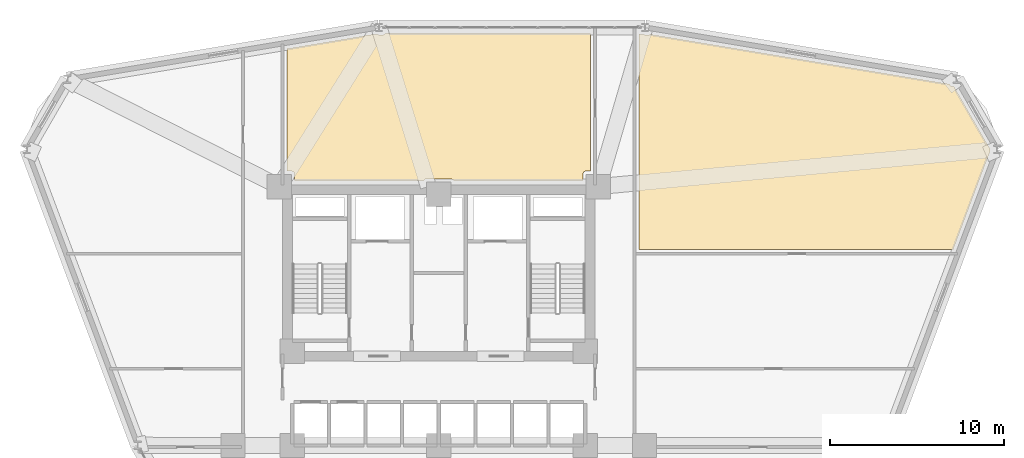
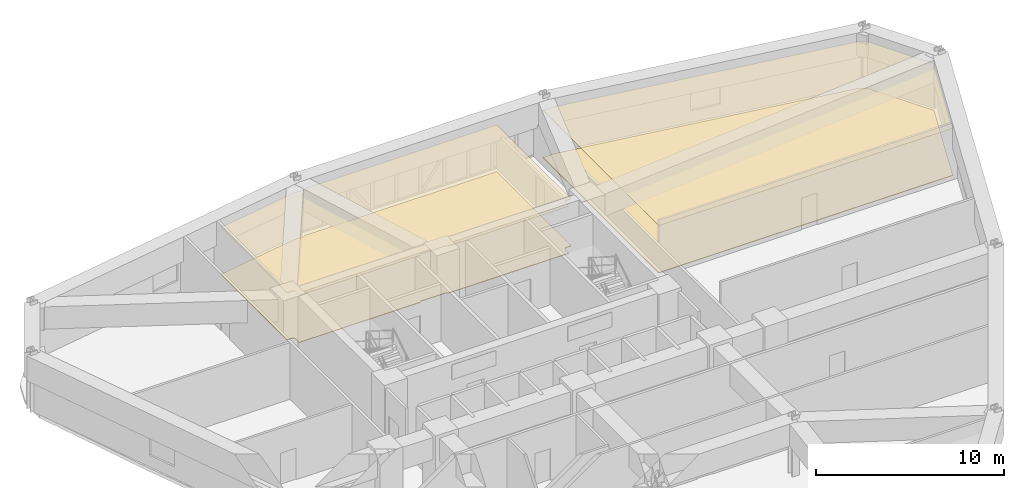
# One storey, part 18 of 18: 4 coverings.
"""IFC4 building model written with IfcOpenShell, lengths in metres."""

import ifcopenshell
import ifcopenshell.guid

model = None  # the IFC model being written
_history = None  # IfcOwnerHistory: only IFC2X3 demands one
_inside = {}  # id of a spatial element -> (the spatial element, [elements in it])
_under = {}  # id of a project, library or spatial element -> (it, [spatial elements below it])
_declared = {}  # id of a project -> (the project, [libraries it declares])
_typed = {}  # id of a type object -> (the type object, [elements of that type])
_made_of = {}  # id of a material, layer set ... -> (it, [elements and type objects made of it])


def new_model(schema):
    """Start an empty IFC model of exactly this schema.

    Asked for "IFC4X3", IfcOpenShell would pick the latest addendum, in which some entities
    have other attributes; the version numbers below select the first issue.
    IFC2X3 requires an IfcOwnerHistory on every rooted entity: one is made here for all.
    """
    global model, _history
    if schema == "IFC4X3":
        model = ifcopenshell.file(schema_version=(4, 3, 0, 0))
    else:
        model = ifcopenshell.file(schema=schema)
    _inside.clear()
    _under.clear()
    _declared.clear()
    _typed.clear()
    _made_of.clear()
    _history = None
    if model.schema == "IFC2X3":
        org = make("IfcOrganization", Name="unknown")
        user = make(
            "IfcPersonAndOrganization",
            ThePerson=make("IfcPerson", FamilyName="unknown"),
            TheOrganization=org,
        )
        app = make(
            "IfcApplication",
            ApplicationDeveloper=org,
            Version="unknown",
            ApplicationFullName="unknown",
            ApplicationIdentifier="unknown",
        )
        _history = make(
            "IfcOwnerHistory",
            OwningUser=user,
            OwningApplication=app,
            ChangeAction="ADDED",
            CreationDate=0,
        )
    return model


def make(cls, **values):
    """One entity of the class cls with the attributes given. An attribute that is None is left unset."""
    return model.create_entity(
        cls, **{name: value for name, value in values.items() if value is not None}
    )


def rooted(cls, **values):
    """An entity with a GlobalId (a new one), such as an element, a storey or a relation."""
    return make(cls, GlobalId=ifcopenshell.guid.new(), OwnerHistory=_history, **values)


def si_unit(unit_type, name, prefix=None):
    """IfcSIUnit, for example si_unit("LENGTHUNIT", "METRE", prefix="MILLI")."""
    return make("IfcSIUnit", UnitType=unit_type, Prefix=prefix, Name=name)


def derived_unit(unit_type, elements):
    """IfcDerivedUnit: a product of units, each with its exponent."""
    return make(
        "IfcDerivedUnit",
        Elements=[
            make("IfcDerivedUnitElement", Unit=unit, Exponent=power)
            for unit, power in elements
        ],
        UnitType=unit_type,
    )


def assignment(units):
    """IfcUnitAssignment: the units of a project."""
    return None if units is None else make("IfcUnitAssignment", Units=units)


def point(xyz):
    """IfcCartesianPoint."""
    return None if xyz is None else make("IfcCartesianPoint", Coordinates=xyz)


def direction(xyz):
    """IfcDirection."""
    return None if xyz is None else make("IfcDirection", DirectionRatios=xyz)


def frame(location, z_axis=None, x_axis=None):
    """IfcAxis2Placement3D, a coordinate frame: its origin and axes. An axis left out is left unset."""
    return make(
        "IfcAxis2Placement3D",
        Location=point(location),
        Axis=direction(z_axis),
        RefDirection=direction(x_axis),
    )


def origin():
    """The frame at (0, 0, 0) with its axes left unset."""
    return frame((0.0, 0.0, 0.0))


def place(relative_to, where):
    """IfcLocalPlacement: puts the frame where relative to a parent placement (None: the world)."""
    return make(
        "IfcLocalPlacement", PlacementRelTo=relative_to, RelativePlacement=where
    )


def context(
    kind, dimensions, precision=None, world=None, true_north=None, identifier=None
):
    """IfcGeometricRepresentationContext, for example the 3D "Model" context."""
    return make(
        "IfcGeometricRepresentationContext",
        ContextIdentifier=identifier,
        ContextType=kind,
        CoordinateSpaceDimension=dimensions,
        Precision=precision,
        WorldCoordinateSystem=world,
        TrueNorth=true_north,
    )


def subcontext(parent, identifier, kind, view, scale=None):
    """IfcGeometricRepresentationSubContext, for example "Body" below "Model"."""
    return make(
        "IfcGeometricRepresentationSubContext",
        ContextIdentifier=identifier,
        ContextType=kind,
        ParentContext=parent,
        TargetScale=scale,
        TargetView=view,
    )


def project(units=None, contexts=None):
    """IfcProject with its units and contexts."""
    return rooted(
        "IfcProject",
        Name="project",
        RepresentationContexts=contexts,
        UnitsInContext=assignment(units),
    )


def spatial(cls, under=None, at=None, **own):
    """A site, building, storey or space (cls), placed at a placement, below another one or the project."""
    s = rooted(cls, ObjectPlacement=at, **own)
    if under is not None:
        _under.setdefault(under.id(), (under, []))[1].append(s)
    return s


def polyline(points):
    """IfcPolyline through the points."""
    return make("IfcPolyline", Points=[point(p) for p in points])


def outline(outer, holes=None, kind="AREA"):
    """IfcArbitraryClosedProfileDef: a profile drawn as a closed curve; with holes, ...WithVoids."""
    if holes is None:
        return make("IfcArbitraryClosedProfileDef", ProfileType=kind, OuterCurve=outer)
    return make(
        "IfcArbitraryProfileDefWithVoids",
        ProfileType=kind,
        OuterCurve=outer,
        InnerCurves=holes,
    )


def extrude(swept, where, along, depth):
    """IfcExtrudedAreaSolid: the profile swept, set in the frame where, extruded along a direction by depth."""
    return make(
        "IfcExtrudedAreaSolid",
        SweptArea=swept,
        Position=where,
        ExtrudedDirection=direction(along),
        Depth=depth,
    )


def shape(context_of_items, identifier, shape_type, items):
    """IfcShapeRepresentation: the items that make up one representation, for example the "Body"."""
    return make(
        "IfcShapeRepresentation",
        ContextOfItems=context_of_items,
        RepresentationIdentifier=identifier,
        RepresentationType=shape_type,
        Items=items,
    )


def material(Name=None, Category=None):
    """IfcMaterial."""
    return make("IfcMaterial", Name=Name, Category=Category)


def layer(
    of_material, thickness, ventilated=None, Name=None, Category=None, Priority=None
):
    """IfcMaterialLayer: one layer of a wall or slab, of a material (None: an air gap)."""
    return make(
        "IfcMaterialLayer",
        Material=of_material,
        LayerThickness=thickness,
        IsVentilated=ventilated,
        Name=Name,
        Category=Category,
        Priority=Priority,
    )


def layer_set(layers, Name=None):
    """IfcMaterialLayerSet."""
    return make("IfcMaterialLayerSet", MaterialLayers=layers, LayerSetName=Name)


def made_of(thing, what):
    """Note that an element or type object is made of a material, layer set ...; save() writes the relation."""
    if what is not None:
        _made_of.setdefault(what.id(), (what, []))[1].append(thing)
    return thing


def type_object(cls, material=None, **own):
    """A type object (cls), such as IfcWallType, which elements share."""
    return made_of(rooted(cls, **own), material)


def element(
    cls,
    number,
    at=None,
    inside=None,
    cuts=None,
    type_object=None,
    material=None,
    context=None,
    identifier="Body",
    shape_type=None,
    held_by="IfcProductDefinitionShape",
    body=None,
    shapes=None,
    **own,
):
    """One element of the class cls, such as IfcWall. Its Tag is "e" and its number.

    at: its placement. inside: the storey or other place that contains it. cuts: it is an
    opening in that element (IfcRelVoidsElement). A single representation is given by context,
    identifier, shape_type and body (its items); several are given by shapes. held_by: the class
    of the entity that holds the representations. save() writes the other relations.
    """
    e = rooted(cls, Tag="e%d" % number, ObjectPlacement=at, **own)
    if body is not None:
        shapes = [shape(context, identifier, shape_type, body)]
    if shapes is not None:
        e.Representation = make(held_by, Representations=shapes)
    if inside is not None:
        _inside.setdefault(inside.id(), (inside, []))[1].append(e)
    if cuts is not None:
        rooted(
            "IfcRelVoidsElement", RelatingBuildingElement=cuts, RelatedOpeningElement=e
        )
    if type_object is not None:
        _typed.setdefault(type_object.id(), (type_object, []))[1].append(e)
    return made_of(e, material)


def aggregate(whole, parts):
    """IfcRelAggregates: a whole, such as a stair, and the parts it consists of."""
    return rooted("IfcRelAggregates", RelatingObject=whole, RelatedObjects=parts)


def save(model, path):
    """Write the relations noted so far, then the file.

    IfcRelAggregates (storeys below a building ...), IfcRelContainedInSpatialStructure (elements
    in a storey), IfcRelDefinesByType, IfcRelAssociatesMaterial and IfcRelDeclares: one each for
    every whole, place, type object, material and project.
    """
    for whole, parts in _under.values():
        aggregate(whole, parts)
    for where, things in _inside.values():
        rooted(
            "IfcRelContainedInSpatialStructure",
            RelatedElements=things,
            RelatingStructure=where,
        )
    for kind, things in _typed.values():
        rooted("IfcRelDefinesByType", RelatedObjects=things, RelatingType=kind)
    for what, things in _made_of.values():
        rooted("IfcRelAssociatesMaterial", RelatedObjects=things, RelatingMaterial=what)
    for by, libraries in _declared.values():
        rooted("IfcRelDeclares", RelatingContext=by, RelatedDefinitions=libraries)
    model.write(path)


model = new_model("IFC4")

# Units and contexts
model_context = context("Model", 3, precision=1e-05, world=origin(), true_north=direction((0.0, 1.0)))
body_context = subcontext(model_context, "Body", "Model", "MODEL_VIEW")
ifc_project = project(units=[si_unit("LENGTHUNIT", "METRE"), si_unit("AREAUNIT", "SQUARE_METRE"), si_unit("VOLUMEUNIT", "CUBIC_METRE"), si_unit("PLANEANGLEUNIT", "RADIAN"), si_unit("MASSUNIT", "GRAM", prefix="KILO"), derived_unit("THERMALTRANSMITTANCEUNIT", [(si_unit("POWERUNIT", "WATT"), 1), (si_unit("LENGTHUNIT", "METRE"), -2), (si_unit("THERMODYNAMICTEMPERATUREUNIT", "KELVIN"), -1)])], contexts=[model_context])

# Site, building, storey
site_placement = place(None, origin())
site = spatial("IfcSite", under=ifc_project, at=site_placement, CompositionType="ELEMENT")
building_placement = place(site_placement, origin())
building = spatial("IfcBuilding", under=site, at=building_placement, Name="Korsvarv Bourse and Concert Hall", CompositionType="ELEMENT")
storey_placement = place(building_placement, frame((0.0, 0.0, 71.699951171875)))
storey = spatial("IfcBuildingStorey", under=building, at=storey_placement, Name="L17", CompositionType="ELEMENT", Elevation=71.699951171875)

# Coverings
ifc_material_1 = material(Name="Perforated mineral-wool and birch acoustic baffle ceiling", Category="wood")
ifc_layer_1 = layer(ifc_material_1, 0.02490234375)
ifc_layer_set_1 = layer_set([ifc_layer_1], Name="Perforated mineral-wool and birch acoustic baffle ceiling")
covering_type_1 = type_object("IfcCoveringType", Name="COV-CEIL-1", PredefinedType="CEILING", material=ifc_layer_set_1)
covering_1_placement = place(storey_placement, frame((0.0, 0.0, 3.06005859375)))
element("IfcCovering", 1, at=covering_1_placement, inside=storey, type_object=covering_type_1, Name="L17 acoustic baffle ceiling 1", PredefinedType="CEILING", context=body_context, shape_type="SweptSolid", body=[
    extrude(outline(polyline([(47.48876953125, 56.002197265625), (47.517333984375, 55.982421875), (47.54931640625, 55.968505859375), (47.583251953125, 55.961181640625), (48.03466796875, 55.94970703125), (48.070068359375, 55.95263671875), (48.1044921875, 55.962158203125), (48.135986328125, 55.978515625), (65.30078125, 53.120361328125), (65.310302734375, 53.091064453125), (65.327880859375, 53.059326171875), (65.351318359375, 53.03173828125), (65.3798828125, 53.009521484375), (65.41259765625, 52.993408203125), (65.447509765625, 52.98388671875), (65.54833984375, 52.9775390625), (67.614501953125, 49.3984375), (67.614501953125, 49.2783203125), (65.505859375, 43.64990234375), (47.47998046875, 43.64990234375), (47.48876953125, 56.002197265625)])), origin(), (0.0, 0.0, 1.0), 0.02490234375),
])
covering_2_placement = place(storey_placement, frame((0.0, 0.0, 3.06005859375)))
element("IfcCovering", 2, at=covering_2_placement, inside=storey, type_object=covering_type_1, Name="L17 acoustic baffle ceiling 3", PredefinedType="CEILING", context=body_context, shape_type="SweptSolid", body=[
    extrude(outline(polyline([(32.266845703125, 55.98095703125), (32.2958984375, 55.968505859375), (32.329833984375, 55.961181640625), (32.78125, 55.94970703125), (32.81640625, 55.952392578125), (32.8505859375, 55.962158203125), (32.882080078125, 55.97802734375), (32.91015625, 56.0), (32.93310546875, 56.027099609375), (44.7099609375, 56.036865234375), (44.7099609375, 48.139892578125), (44.449951171875, 48.139892578125), (44.415283203125, 48.13671875), (44.3818359375, 48.126708984375), (44.35107421875, 48.1103515625), (44.323974609375, 48.08837890625), (44.301513671875, 48.061767578125), (44.28466796875, 48.03125), (44.274169921875, 47.998046875), (44.27001953125, 47.96337890625), (44.26318359375, 47.60009765625), (36.859619140625, 47.60009765625), (36.837646484375, 47.626708984375), (36.810791015625, 47.649169921875), (36.77978515625, 47.666015625), (36.74609375, 47.67626953125), (36.711181640625, 47.679931640625), (35.30126953125, 47.68994140625), (35.266357421875, 47.686767578125), (35.232421875, 47.677001953125), (35.201416015625, 47.66064453125), (35.174072265625, 47.638427734375), (35.1513671875, 47.611572265625), (27.739990234375, 47.60009765625), (27.739990234375, 47.949951171875), (27.736572265625, 47.984619140625), (27.726806640625, 48.01806640625), (27.71044921875, 48.048828125), (27.688720703125, 48.075927734375), (27.662109375, 48.098388671875), (27.631591796875, 48.114990234375), (27.598388671875, 48.125732421875), (27.56396484375, 48.1298828125), (27.2900390625, 48.135986328125), (27.2900390625, 55.151611328125), (32.266845703125, 55.98095703125)])), origin(), (0.0, 0.0, 1.0), 0.02490234375),
])
ifc_material_2 = material(Name="Calcium-sulphate raised access trading floor with Nordic oak top", Category="wood")
ifc_layer_2 = layer(ifc_material_2, 0.0400390625)
ifc_layer_set_2 = layer_set([ifc_layer_2], Name="Calcium-sulphate raised access trading floor with Nordic oak top")
covering_type_2 = type_object("IfcCoveringType", Name="COV-FLOR-1", PredefinedType="FLOORING", material=ifc_layer_set_2)
covering_3_placement = place(storey_placement, origin())
element("IfcCovering", 3, at=covering_3_placement, inside=storey, type_object=covering_type_2, Name="L17 raised access oak floor finish 1", PredefinedType="FLOORING", context=body_context, shape_type="SweptSolid", body=[
    extrude(outline(polyline([(47.48876953125, 56.002197265625), (47.517333984375, 55.982421875), (47.54931640625, 55.968505859375), (47.583251953125, 55.961181640625), (48.03466796875, 55.94970703125), (48.070068359375, 55.95263671875), (48.1044921875, 55.962158203125), (48.135986328125, 55.978515625), (65.30078125, 53.120361328125), (65.310302734375, 53.091064453125), (65.327880859375, 53.059326171875), (65.351318359375, 53.03173828125), (65.3798828125, 53.009521484375), (65.41259765625, 52.993408203125), (65.447509765625, 52.98388671875), (65.54833984375, 52.9775390625), (67.614501953125, 49.3984375), (67.614501953125, 49.2783203125), (65.505859375, 43.64990234375), (47.47998046875, 43.64990234375), (47.48876953125, 56.002197265625)])), origin(), (0.0, 0.0, 1.0), 0.0400390625),
])
covering_4_placement = place(storey_placement, origin())
element("IfcCovering", 4, at=covering_4_placement, inside=storey, type_object=covering_type_2, Name="L17 raised access oak floor finish 3", PredefinedType="FLOORING", context=body_context, shape_type="SweptSolid", body=[
    extrude(outline(polyline([(32.266845703125, 55.98095703125), (32.2958984375, 55.968505859375), (32.329833984375, 55.961181640625), (32.78125, 55.94970703125), (32.81640625, 55.952392578125), (32.8505859375, 55.962158203125), (32.882080078125, 55.97802734375), (32.91015625, 56.0), (32.93310546875, 56.027099609375), (44.7099609375, 56.036865234375), (44.7099609375, 48.139892578125), (44.449951171875, 48.139892578125), (44.415283203125, 48.13671875), (44.3818359375, 48.126708984375), (44.35107421875, 48.1103515625), (44.323974609375, 48.08837890625), (44.301513671875, 48.061767578125), (44.28466796875, 48.03125), (44.274169921875, 47.998046875), (44.27001953125, 47.96337890625), (44.26318359375, 47.60009765625), (36.859619140625, 47.60009765625), (36.837646484375, 47.626708984375), (36.810791015625, 47.649169921875), (36.77978515625, 47.666015625), (36.74609375, 47.67626953125), (36.711181640625, 47.679931640625), (35.30126953125, 47.68994140625), (35.266357421875, 47.686767578125), (35.232421875, 47.677001953125), (35.201416015625, 47.66064453125), (35.174072265625, 47.638427734375), (35.1513671875, 47.611572265625), (27.739990234375, 47.60009765625), (27.739990234375, 47.949951171875), (27.736572265625, 47.984619140625), (27.726806640625, 48.01806640625), (27.71044921875, 48.048828125), (27.688720703125, 48.075927734375), (27.662109375, 48.098388671875), (27.631591796875, 48.114990234375), (27.598388671875, 48.125732421875), (27.56396484375, 48.1298828125), (27.2900390625, 48.135986328125), (27.2900390625, 55.151611328125), (32.266845703125, 55.98095703125)])), origin(), (0.0, 0.0, 1.0), 0.0400390625),
])

save(model, "model.ifc")
